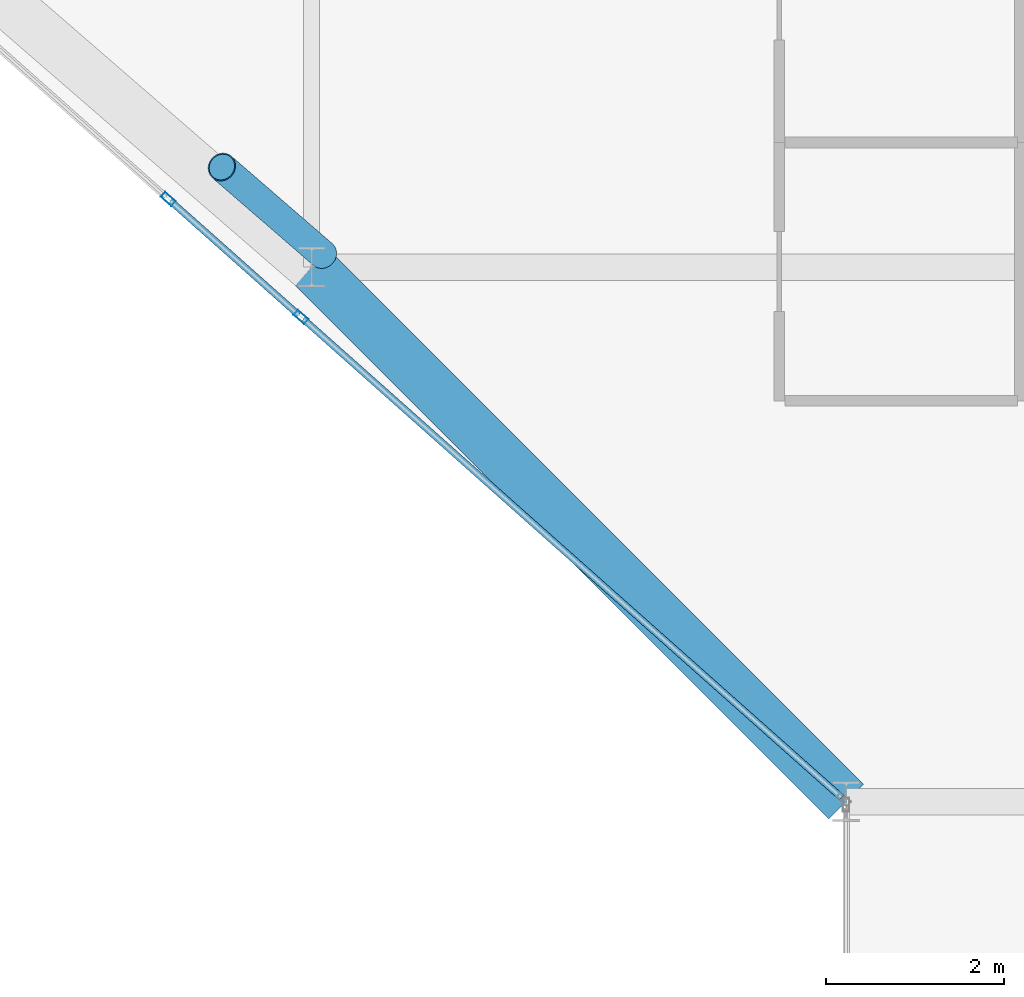
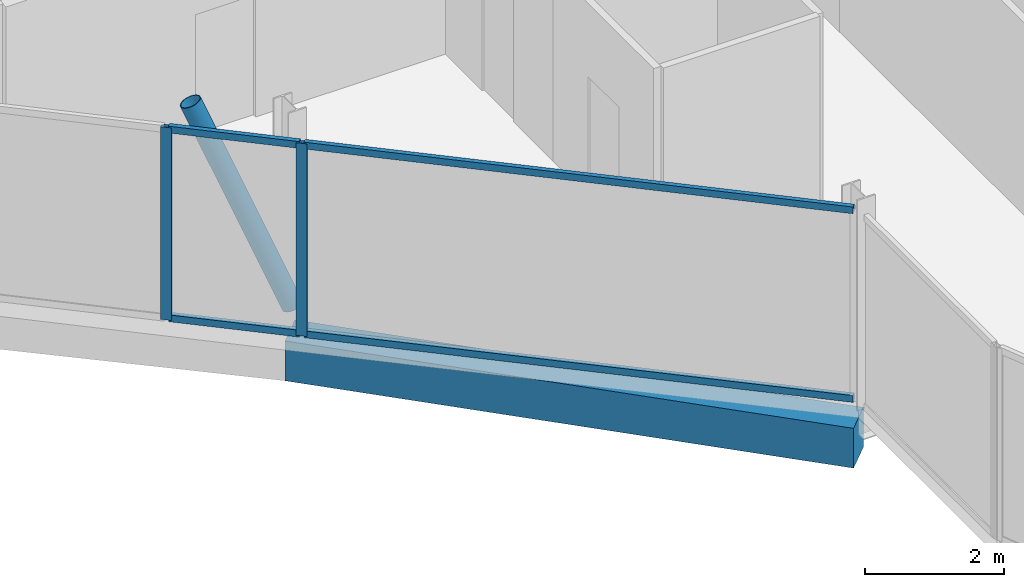
# One storey, part 4 of 29: 7 members, 1 beam, 2 elements without a shape of their own.
"""IFC4 building model written with IfcOpenShell, lengths in metres."""

from ifc_helpers import new_model, si_unit, direction, frame, origin, origin_2d, place, context, subcontext, project, spatial, rectangle, hollow_rectangle, hollow_circle, extrude, material, layer, layer_set, material_profile, profile_set, type_object, element, aggregate, save


model = new_model("IFC4")

# Units and contexts
model_context = context("Model", 3, precision=1e-05, world=origin(), true_north=direction((0.0, 1.0)))
body_context = subcontext(model_context, "Body", "Model", "MODEL_VIEW")
ifc_project = project(units=[si_unit("LENGTHUNIT", "METRE"), si_unit("AREAUNIT", "SQUARE_METRE"), si_unit("VOLUMEUNIT", "CUBIC_METRE"), si_unit("PLANEANGLEUNIT", "RADIAN"), si_unit("MASSUNIT", "GRAM", prefix="KILO")], contexts=[model_context])

# Site, building, storey
site_placement = place(None, origin())
site = spatial("IfcSite", under=ifc_project, at=site_placement, CompositionType="ELEMENT")
building_placement = place(site_placement, origin())
building = spatial("IfcBuilding", under=site, at=building_placement, Name="Keshet Zoharim Tower", CompositionType="ELEMENT")
storey_placement = place(building_placement, frame((0.0, 0.0, 176.5)))
storey = spatial("IfcBuildingStorey", under=building, at=storey_placement, Name="L43", CompositionType="ELEMENT", Elevation=176.5)

# Beam
ifc_material_1 = material(Name="Concrete C50/60", Category="concrete")
ifc_material_profile_1 = material_profile(ifc_material_1, rectangle(XDim=0.550048828125, YDim=0.699951171875, at=origin_2d()), Name="RC700x550")
ifc_profile_set_1 = profile_set([ifc_material_profile_1], Name="Concrete C50/60")
beam_type = type_object("IfcBeamType", Name="BM-SPN-700", PredefinedType="SPANDREL", material=ifc_profile_set_1)
beam_placement = place(storey_placement, frame((21.0, 6.699951171875, -0.659912109375), z_axis=(-0.707106781187, 0.707106781187, 0.0), x_axis=(-0.707106781187, -0.707106781187, 0.0)))
element("IfcBeam", 1, at=beam_placement, inside=storey, type_object=beam_type, Name="L43 Perimeter Spandrel Beam 01", PredefinedType="SPANDREL", context=body_context, shape_type="SweptSolid", body=[
    extrude(rectangle(XDim=0.550048828125, YDim=0.699951171875, at=origin_2d()), origin(), (0.0, 0.0, 1.0), 8.4853515625),
])

# Curtain wall, member
ifc_material_2 = material(Name="Aluminium 6063-T6", Category="aluminium")
ifc_layer = layer(ifc_material_2, 0.139892578125)
ifc_layer_set = layer_set([ifc_layer], Name="Aluminium 6063-T6")
curtain_wall_type = type_object("IfcCurtainWallType", Name="CW-SYS-05", PredefinedType="NOTDEFINED", material=ifc_layer_set)
curtain_wall_1_placement = place(storey_placement, origin())
curtain_wall_1 = element("IfcCurtainWall", 2, at=curtain_wall_1_placement, inside=storey, type_object=curtain_wall_type, Name="L43 Unitised Curtain Wall 10", PredefinedType="NOTDEFINED")
ifc_material_profile_2 = material_profile(ifc_material_2, hollow_rectangle(XDim=0.074951171875, YDim=0.159912109375, WallThickness=0.00390625, at=origin_2d()), Name="MUL-75x160")
ifc_profile_set_2 = profile_set([ifc_material_profile_2], Name="Aluminium 6063-T6")
member_type_1 = type_object("IfcMemberType", Name="CWM-M15", PredefinedType="MULLION", material=ifc_profile_set_2)
member_1_placement = place(storey_placement, frame((14.88037109375, 12.1396484375, 0.0), z_axis=(0.0, 0.0, 1.0), x_axis=(-0.664367613066, -0.74740596379, 0.0)))
member_1 = element("IfcMember", 3, at=member_1_placement, type_object=member_type_1, Name="CW-05 mullion 2", PredefinedType="MULLION", context=body_context, shape_type="SweptSolid", body=[
    extrude(hollow_rectangle(XDim=0.074951171875, YDim=0.159912109375, WallThickness=0.00390625, at=origin_2d()), origin(), (0.0, 0.0, 1.0), 3.389892578125),
])

curtain_wall_2_placement = place(storey_placement, origin())
curtain_wall_2 = element("IfcCurtainWall", 4, at=curtain_wall_2_placement, inside=storey, type_object=curtain_wall_type, Name="L43 Unitised Curtain Wall 10 Part 2", PredefinedType="NOTDEFINED")
member_2_placement = place(storey_placement, frame((13.388427734375, 13.4658203125, 0.0), z_axis=(0.0, 0.0, 1.0), x_axis=(-0.664329634314, -0.747439721297, 0.0)))
member_2 = element("IfcMember", 5, at=member_2_placement, type_object=member_type_1, Name="CW-05 mullion 2", PredefinedType="MULLION", context=body_context, shape_type="SweptSolid", body=[
    extrude(hollow_rectangle(XDim=0.074951171875, YDim=0.159912109375, WallThickness=0.00390625, at=origin_2d()), origin(), (0.0, 0.0, 1.0), 3.389892578125),
])

# Member
ifc_material_profile_3 = material_profile(ifc_material_2, hollow_rectangle(XDim=0.074951171875, YDim=0.1201171875, WallThickness=0.00390625, at=origin_2d()), Name="TRN-75x120")
ifc_profile_set_3 = profile_set([ifc_material_profile_3], Name="Aluminium 6063-T6")
member_type_2 = type_object("IfcMemberType", Name="CWT-T12", PredefinedType="USERDEFINED", material=ifc_profile_set_3)
member_3_placement = place(storey_placement, frame((20.94775390625, 6.74658203125, 0.034912109375), z_axis=(-0.747404319135, 0.664369463279, 0.0), x_axis=(-0.664369463279, -0.747404319135, 0.0)))
member_3 = element("IfcMember", 6, at=member_3_placement, type_object=member_type_2, Name="CW-05 transom 1.1", ObjectType="TRANSOM", PredefinedType="USERDEFINED", context=body_context, shape_type="SweptSolid", body=[
    extrude(hollow_rectangle(XDim=0.074951171875, YDim=0.1201171875, WallThickness=0.00390625, at=origin_2d()), origin(), (0.0, 0.0, 1.0), 8.082763671875),
])

member_4_placement = place(storey_placement, frame((20.94775390625, 6.74658203125, 3.35498046875), z_axis=(-0.747404319135, 0.664369463279, 0.0), x_axis=(-0.664369463279, -0.747404319135, 0.0)))
member_4 = element("IfcMember", 7, at=member_4_placement, type_object=member_type_2, Name="CW-05 transom 1.2", ObjectType="TRANSOM", PredefinedType="USERDEFINED", context=body_context, shape_type="SweptSolid", body=[
    extrude(hollow_rectangle(XDim=0.074951171875, YDim=0.1201171875, WallThickness=0.00390625, at=origin_2d()), origin(), (0.0, 0.0, 1.0), 8.082763671875),
])

aggregate(curtain_wall_1, [member_1, member_3, member_4])

member_5_placement = place(storey_placement, frame((14.854248046875, 12.162841796875, 0.034912109375), z_axis=(-0.747458269264, 0.664308765341, 0.0), x_axis=(-0.664308765341, -0.747458269264, 0.0)))
member_5 = element("IfcMember", 8, at=member_5_placement, type_object=member_type_2, Name="CW-05 transom 1.1", ObjectType="TRANSOM", PredefinedType="USERDEFINED", context=body_context, shape_type="SweptSolid", body=[
    extrude(hollow_rectangle(XDim=0.074951171875, YDim=0.1201171875, WallThickness=0.00390625, at=origin_2d()), origin(), (0.0, 0.0, 1.0), 1.926025390625),
])

member_6_placement = place(storey_placement, frame((14.854248046875, 12.162841796875, 3.35498046875), z_axis=(-0.747458269264, 0.664308765341, 0.0), x_axis=(-0.664308765341, -0.747458269264, 0.0)))
member_6 = element("IfcMember", 9, at=member_6_placement, type_object=member_type_2, Name="CW-05 transom 1.2", ObjectType="TRANSOM", PredefinedType="USERDEFINED", context=body_context, shape_type="SweptSolid", body=[
    extrude(hollow_rectangle(XDim=0.074951171875, YDim=0.1201171875, WallThickness=0.00390625, at=origin_2d()), origin(), (0.0, 0.0, 1.0), 1.926025390625),
])

aggregate(curtain_wall_2, [member_2, member_5, member_6])

ifc_material_3 = material(Name="Steel S355", Category="steel")
ifc_material_profile_4 = material_profile(ifc_material_3, hollow_circle(Radius=0.161865234375, WallThickness=0.012451171875, at=origin_2d()), Name="CHS323x12.5")
ifc_profile_set_4 = profile_set([ifc_material_profile_4], Name="Steel S355")
member_type_3 = type_object("IfcMemberType", Name="MB-BR-C323", PredefinedType="BRACE", material=ifc_profile_set_4)
member_7_placement = place(storey_placement, frame((15.1259765625, 12.842041015625, 0.0), z_axis=(-0.305919508672, 0.264888754334, 0.914465528077), x_axis=(-0.654589683411, -0.755984355904, 0.0)))
element("IfcMember", 10, at=member_7_placement, inside=storey, type_object=member_type_3, Name="L43 Perimeter Tube Brace 01", PredefinedType="BRACE", context=body_context, shape_type="SweptSolid", body=[
    extrude(hollow_circle(Radius=0.161865234375, WallThickness=0.012451171875, at=origin_2d()), origin(), (0.0, 0.0, 1.0), 3.70703125),
])

save(model, "model.ifc")
